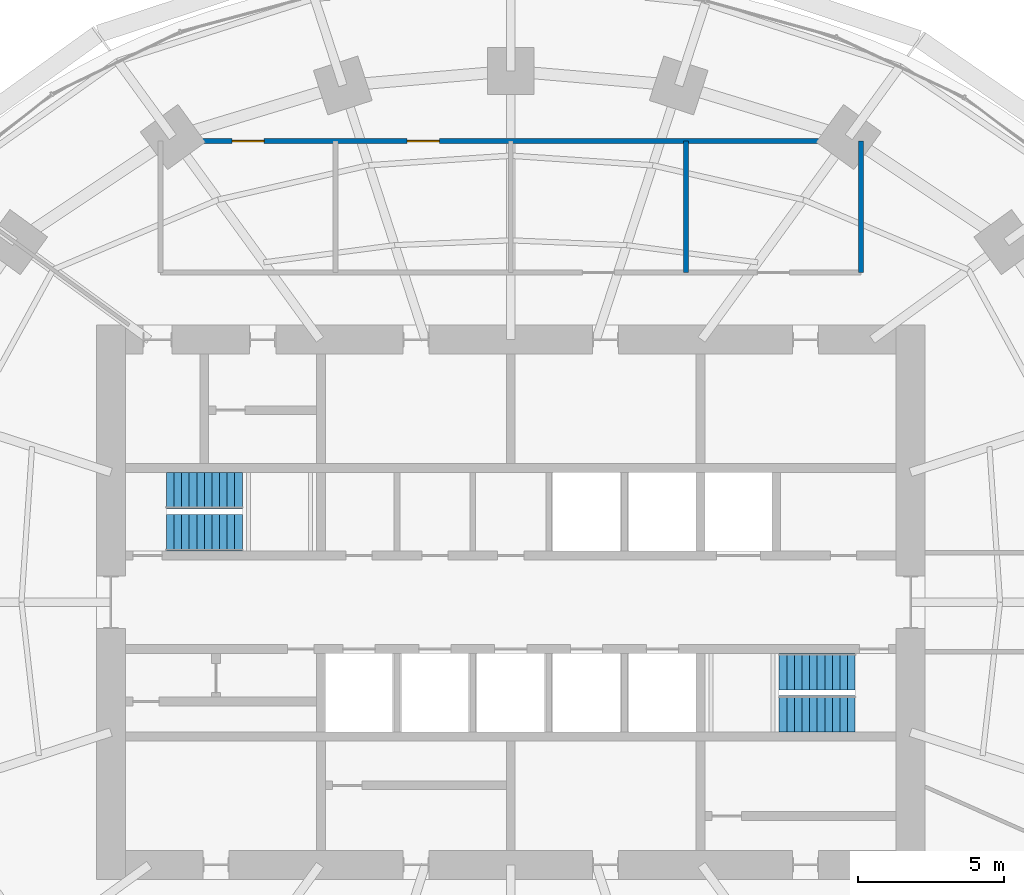
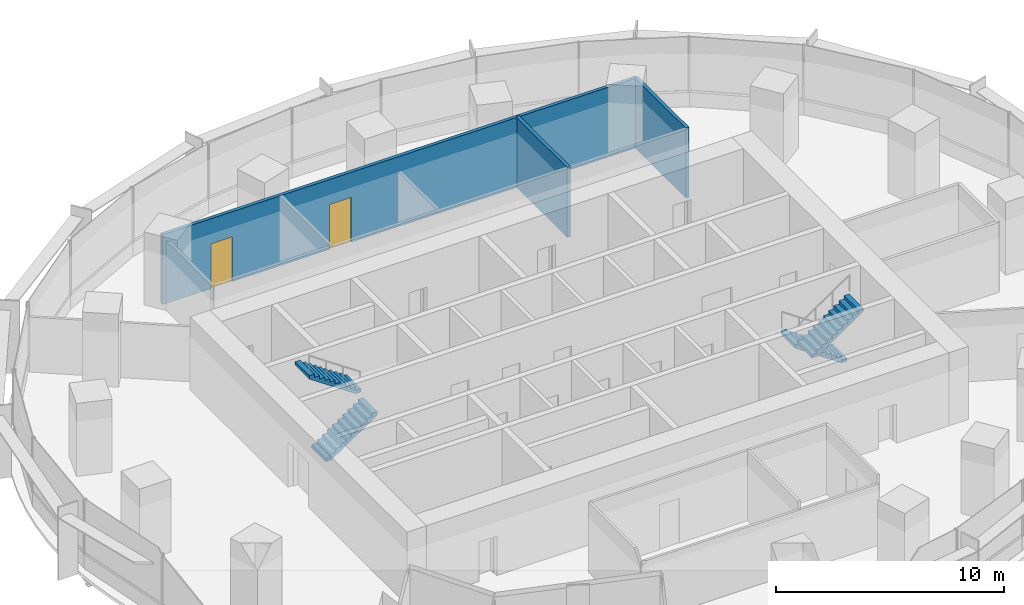
# One storey, part 12 of 14: 4 stair flights, 3 walls, 2 doors, 2 openings, 2 elements without a shape of their own.
"""IFC4 building model written with IfcOpenShell, lengths in metres."""

from ifc_helpers import new_model, si_unit, direction, frame, frame_2d, origin, place, context, subcontext, project, spatial, polyline, rectangle, outline, extrude, material, layer, layer_set, type_object, element, fill, aggregate, save


model = new_model("IFC4")

# Units and contexts
model_context = context("Model", 3, precision=1e-05, world=origin(), true_north=direction((0.0, 1.0)))
body_context = subcontext(model_context, "Body", "Model", "MODEL_VIEW")
ifc_project = project(units=[si_unit("LENGTHUNIT", "METRE"), si_unit("AREAUNIT", "SQUARE_METRE"), si_unit("VOLUMEUNIT", "CUBIC_METRE"), si_unit("PLANEANGLEUNIT", "RADIAN"), si_unit("MASSUNIT", "GRAM", prefix="KILO")], contexts=[model_context])

# Site, building, storey
site_placement = place(None, origin())
site = spatial("IfcSite", under=ifc_project, at=site_placement, CompositionType="ELEMENT")
building_placement = place(site_placement, origin())
building = spatial("IfcBuilding", under=site, at=building_placement, Name="Marramba Exchange Tower", CompositionType="ELEMENT")
storey_placement = place(building_placement, frame((0.0, 0.0, 154.800048828125)))
storey = spatial("IfcBuildingStorey", under=building, at=storey_placement, Name="L37", CompositionType="ELEMENT", Elevation=154.800048828125)

# Walls
ifc_material_1 = material(Name="Plasterboard on staggered double steel studs, acoustic insulation", Category="steel")
ifc_layer = layer(ifc_material_1, 0.169921875)
ifc_layer_set = layer_set([ifc_layer], Name="Acoustic partition 170")
wall_type = type_object("IfcWallType", Name="Acoustic partition 170", PredefinedType="PARTITIONING", material=ifc_layer_set)
for number, where, z_axis, x_axis, name in (
    (1, (12.0, 15.800048828125, 0.0), (0.0, 0.0, 1.0), (0.0, -1.0, 0.0), "Acoustic partition L37 15"),
    (2, (6.0, 15.800048828125, 0.0), (0.0, 0.0, 1.0), (0.0, -1.0, 0.0), "Acoustic partition L37 16"),
):
    element("IfcWall", number, at=place(storey_placement, frame(where, z_axis=z_axis, x_axis=x_axis)), inside=storey, type_object=wall_type, Name=name, PredefinedType="PARTITIONING", context=body_context, shape_type="SweptSolid", body=[
        extrude(rectangle(XDim=4.5, YDim=0.169921875, at=frame_2d((2.25, 0.0))), origin(), (0.0, 0.0, 1.0), 3.739990234375),
    ])

# Wall, openings, doors
wall_placement = place(storey_placement, frame((-12.0, 15.800048828125, 0.0), z_axis=(0.0, 0.0, 1.0), x_axis=(1.0, 0.0, 0.0)))
wall = element("IfcWall", 3, at=wall_placement, inside=storey, type_object=wall_type, Name="Acoustic partition L37 17", PredefinedType="PARTITIONING", context=body_context, shape_type="SweptSolid", body=[
    extrude(rectangle(XDim=24.0, YDim=0.169921875, at=frame_2d((12.0, 0.0))), origin(), (0.0, 0.0, 1.0), 3.739990234375),
])
opening_1_placement = place(wall_placement, frame((2.449951171875, 0.0, 0.0)))
opening_1 = element("IfcOpeningElement", 4, at=opening_1_placement, cuts=wall, Name="Opening D15", PredefinedType="OPENING", context=body_context, shape_type="SweptSolid", body=[
    extrude(rectangle(XDim=1.10009765625, YDim=2.39990234375, at=frame_2d((0.550048828125, 1.199951171875))), frame((0.0, 0.094970703125, 0.0), z_axis=(0.0, -1.0, 0.0), x_axis=(1.0, 0.0, 0.0)), (0.0, 0.0, 1.0), 0.18994140625),
])
opening_2_placement = place(wall_placement, frame((8.449951171875, 0.0, 0.0)))
opening_2 = element("IfcOpeningElement", 5, at=opening_2_placement, cuts=wall, Name="Opening D15", PredefinedType="OPENING", context=body_context, shape_type="SweptSolid", body=[
    extrude(rectangle(XDim=1.10009765625, YDim=2.39990234375, at=frame_2d((0.550048828125, 1.199951171875))), frame((0.0, 0.094970703125, 0.0), z_axis=(0.0, -1.0, 0.0), x_axis=(1.0, 0.0, 0.0)), (0.0, 0.0, 1.0), 0.18994140625),
])
ifc_material_2 = material(Name="Timber door", Category="wood")
door_type = type_object("IfcDoorType", Name="Glazed meeting room door 1100x2400", OperationType="SINGLE_SWING_LEFT", PredefinedType="DOOR", material=ifc_material_2)
door_1_placement = place(opening_1_placement, frame((1.10009765625, 0.0, 0.0), z_axis=(0.0, 0.0, 1.0), x_axis=(-1.0, 0.0, 0.0)))
door_1 = element("IfcDoor", 6, at=door_1_placement, inside=storey, type_object=door_type, Name="D15 Meeting Room 1 L37", OperationType="SINGLE_SWING_RIGHT", OverallHeight=2.39990234375, OverallWidth=1.10009765625, PredefinedType="DOOR", context=body_context, shape_type="SweptSolid", body=[
    extrude(rectangle(XDim=1.10009765625, YDim=2.39990234375, at=frame_2d((0.550048828125, 1.199951171875))), frame((0.0, 0.025146484375, 0.0), z_axis=(0.0, -1.0, 0.0), x_axis=(1.0, 0.0, 0.0)), (0.0, 0.0, 1.0), 0.050048828125),
])
fill(opening_1, door_1)
door_2_placement = place(opening_2_placement, frame((1.10009765625, 0.0, 0.0), z_axis=(0.0, 0.0, 1.0), x_axis=(-1.0, 0.0, 0.0)))
door_2 = element("IfcDoor", 7, at=door_2_placement, inside=storey, type_object=door_type, Name="D15 Meeting Room 2 L37", OperationType="SINGLE_SWING_RIGHT", OverallHeight=2.39990234375, OverallWidth=1.10009765625, PredefinedType="DOOR", context=body_context, shape_type="SweptSolid", body=[
    extrude(rectangle(XDim=1.10009765625, YDim=2.39990234375, at=frame_2d((0.550048828125, 1.199951171875))), frame((0.0, 0.025146484375, 0.0), z_axis=(0.0, -1.0, 0.0), x_axis=(1.0, 0.0, 0.0)), (0.0, 0.0, 1.0), 0.050048828125),
])
fill(opening_2, door_2)

# Stair, stair flights
ifc_material_3 = material(Name="Concrete N40 (40 MPa)", Category="concrete")
stair_type_1 = type_object("IfcStairType", Name="Exit stair ST1 3900 x 1250", PredefinedType="HALF_TURN_STAIR", material=ifc_material_3)
stair_1_placement = place(storey_placement, origin())
stair_1 = element("IfcStair", 8, at=stair_1_placement, inside=storey, type_object=stair_type_1, Name="Exit stair ST1 L37", PredefinedType="HALF_TURN_STAIR")
stair_flight_type_1 = type_object("IfcStairFlightType", Name="ST1 stair flight 1773 riser 1250 wide", PredefinedType="STRAIGHT", material=ifc_material_3)
stair_flight_1_placement = place(storey_placement, frame((-11.800048828125, 2.375, 0.0), z_axis=(0.0, 0.0, 1.0), x_axis=(1.0, 0.0, 0.0)))
stair_flight_1 = element("IfcStairFlight", 9, at=stair_flight_1_placement, type_object=stair_flight_type_1, Name="ST1 flight 1", NumberOfRisers=11, NumberOfTreads=10, PredefinedType="STRAIGHT", RiserHeight=0.177272727, TreadLength=0.26, context=body_context, shape_type="SweptSolid", body=[
    extrude(outline(polyline([(0.0, 0.0), (0.0, 0.17724609375), (0.260009765625, 0.17724609375), (0.260009765625, 0.3544921875), (0.52001953125, 0.3544921875), (0.52001953125, 0.53173828125), (0.780029296875, 0.53173828125), (0.780029296875, 0.708984375), (1.0400390625, 0.708984375), (1.0400390625, 0.886474609375), (1.300048828125, 0.886474609375), (1.300048828125, 1.063720703125), (1.56005859375, 1.063720703125), (1.56005859375, 1.240966796875), (1.820068359375, 1.240966796875), (1.820068359375, 1.418212890625), (2.080078125, 1.418212890625), (2.080078125, 1.595458984375), (2.340087890625, 1.595458984375), (2.340087890625, 1.772705078125), (2.60009765625, 1.772705078125), (2.60009765625, 1.949951171875), (2.60009765625, 1.59130859375), (0.26611328125, 0.0), (0.0, 0.0)])), frame((0.0, 0.625, 0.0), z_axis=(0.0, -1.0, 0.0), x_axis=(1.0, 0.0, 0.0)), (0.0, 0.0, 1.0), 1.25),
])
stair_flight_2_placement = place(storey_placement, frame((-9.199951171875, 3.824951171875, 1.949951171875), z_axis=(0.0, 0.0, 1.0), x_axis=(-1.0, 0.0, 0.0)))
stair_flight_2 = element("IfcStairFlight", 10, at=stair_flight_2_placement, type_object=stair_flight_type_1, Name="ST1 flight 2", NumberOfRisers=11, NumberOfTreads=10, PredefinedType="STRAIGHT", RiserHeight=0.177272727, TreadLength=0.26, context=body_context, shape_type="SweptSolid", body=[
    extrude(outline(polyline([(0.0, 0.0), (0.0, 0.17724609375), (0.260009765625, 0.17724609375), (0.260009765625, 0.3544921875), (0.52001953125, 0.3544921875), (0.52001953125, 0.53173828125), (0.780029296875, 0.53173828125), (0.780029296875, 0.708984375), (1.0400390625, 0.708984375), (1.0400390625, 0.886474609375), (1.300048828125, 0.886474609375), (1.300048828125, 1.063720703125), (1.56005859375, 1.063720703125), (1.56005859375, 1.240966796875), (1.820068359375, 1.240966796875), (1.820068359375, 1.418212890625), (2.080078125, 1.418212890625), (2.080078125, 1.595458984375), (2.340087890625, 1.595458984375), (2.340087890625, 1.772705078125), (2.60009765625, 1.772705078125), (2.60009765625, 1.949951171875), (2.60009765625, 1.59130859375), (0.26611328125, 0.0), (0.0, 0.0)])), frame((0.0, 0.625, 0.0), z_axis=(0.0, -1.0, 0.0), x_axis=(1.0, 0.0, 0.0)), (0.0, 0.0, 1.0), 1.25),
])
aggregate(stair_1, [stair_flight_1, stair_flight_2])

stair_type_2 = type_object("IfcStairType", Name="Exit stair ST2 3900 x 1250", PredefinedType="HALF_TURN_STAIR", material=ifc_material_3)
stair_2_placement = place(storey_placement, origin())
stair_2 = element("IfcStair", 11, at=stair_2_placement, inside=storey, type_object=stair_type_2, Name="Exit stair ST2 L37", PredefinedType="HALF_TURN_STAIR")
stair_flight_type_2 = type_object("IfcStairFlightType", Name="ST2 stair flight 1773 riser 1250 wide", PredefinedType="STRAIGHT", material=ifc_material_3)
stair_flight_3_placement = place(storey_placement, frame((11.800048828125, -2.375, 0.0), z_axis=(0.0, 0.0, 1.0), x_axis=(-1.0, 0.0, 0.0)))
stair_flight_3 = element("IfcStairFlight", 12, at=stair_flight_3_placement, type_object=stair_flight_type_2, Name="ST2 flight 1", NumberOfRisers=11, NumberOfTreads=10, PredefinedType="STRAIGHT", RiserHeight=0.177272727, TreadLength=0.26, context=body_context, shape_type="SweptSolid", body=[
    extrude(outline(polyline([(0.0, 0.0), (0.0, 0.17724609375), (0.260009765625, 0.17724609375), (0.260009765625, 0.3544921875), (0.52001953125, 0.3544921875), (0.52001953125, 0.53173828125), (0.780029296875, 0.53173828125), (0.780029296875, 0.708984375), (1.0400390625, 0.708984375), (1.0400390625, 0.886474609375), (1.300048828125, 0.886474609375), (1.300048828125, 1.063720703125), (1.56005859375, 1.063720703125), (1.56005859375, 1.240966796875), (1.820068359375, 1.240966796875), (1.820068359375, 1.418212890625), (2.080078125, 1.418212890625), (2.080078125, 1.595458984375), (2.340087890625, 1.595458984375), (2.340087890625, 1.772705078125), (2.60009765625, 1.772705078125), (2.60009765625, 1.949951171875), (2.60009765625, 1.59130859375), (0.26611328125, 0.0), (0.0, 0.0)])), frame((0.0, 0.625, 0.0), z_axis=(0.0, -1.0, 0.0), x_axis=(1.0, 0.0, 0.0)), (0.0, 0.0, 1.0), 1.25),
])
stair_flight_4_placement = place(storey_placement, frame((9.199951171875, -3.824951171875, 1.949951171875), z_axis=(0.0, 0.0, 1.0), x_axis=(1.0, 0.0, 0.0)))
stair_flight_4 = element("IfcStairFlight", 13, at=stair_flight_4_placement, type_object=stair_flight_type_2, Name="ST2 flight 2", NumberOfRisers=11, NumberOfTreads=10, PredefinedType="STRAIGHT", RiserHeight=0.177272727, TreadLength=0.26, context=body_context, shape_type="SweptSolid", body=[
    extrude(outline(polyline([(0.0, 0.0), (0.0, 0.17724609375), (0.260009765625, 0.17724609375), (0.260009765625, 0.3544921875), (0.52001953125, 0.3544921875), (0.52001953125, 0.53173828125), (0.780029296875, 0.53173828125), (0.780029296875, 0.708984375), (1.0400390625, 0.708984375), (1.0400390625, 0.886474609375), (1.300048828125, 0.886474609375), (1.300048828125, 1.063720703125), (1.56005859375, 1.063720703125), (1.56005859375, 1.240966796875), (1.820068359375, 1.240966796875), (1.820068359375, 1.418212890625), (2.080078125, 1.418212890625), (2.080078125, 1.595458984375), (2.340087890625, 1.595458984375), (2.340087890625, 1.772705078125), (2.60009765625, 1.772705078125), (2.60009765625, 1.949951171875), (2.60009765625, 1.59130859375), (0.26611328125, 0.0), (0.0, 0.0)])), frame((0.0, 0.625, 0.0), z_axis=(0.0, -1.0, 0.0), x_axis=(1.0, 0.0, 0.0)), (0.0, 0.0, 1.0), 1.25),
])
aggregate(stair_2, [stair_flight_3, stair_flight_4])

save(model, "model.ifc")
